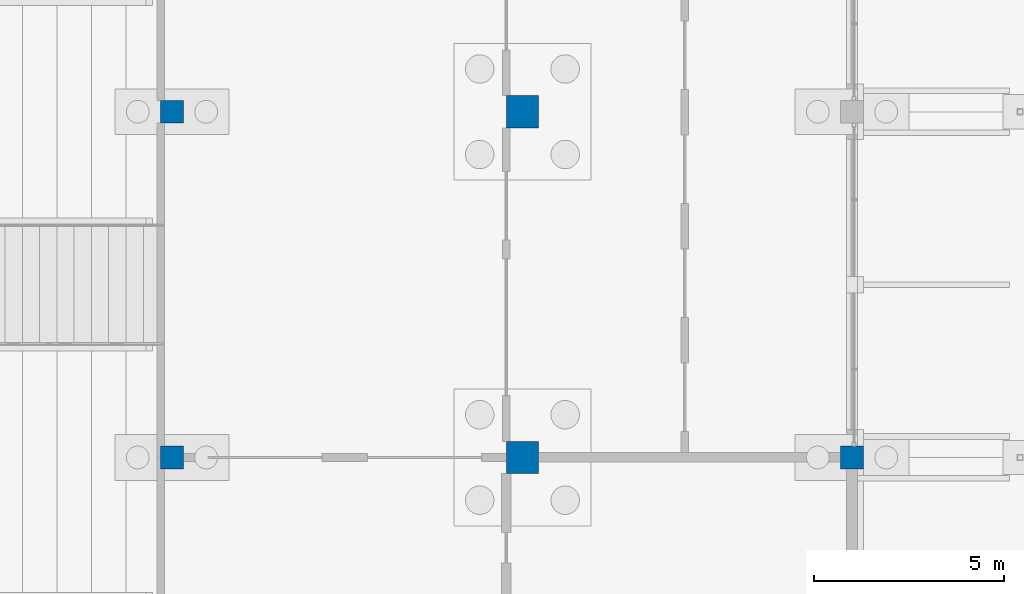
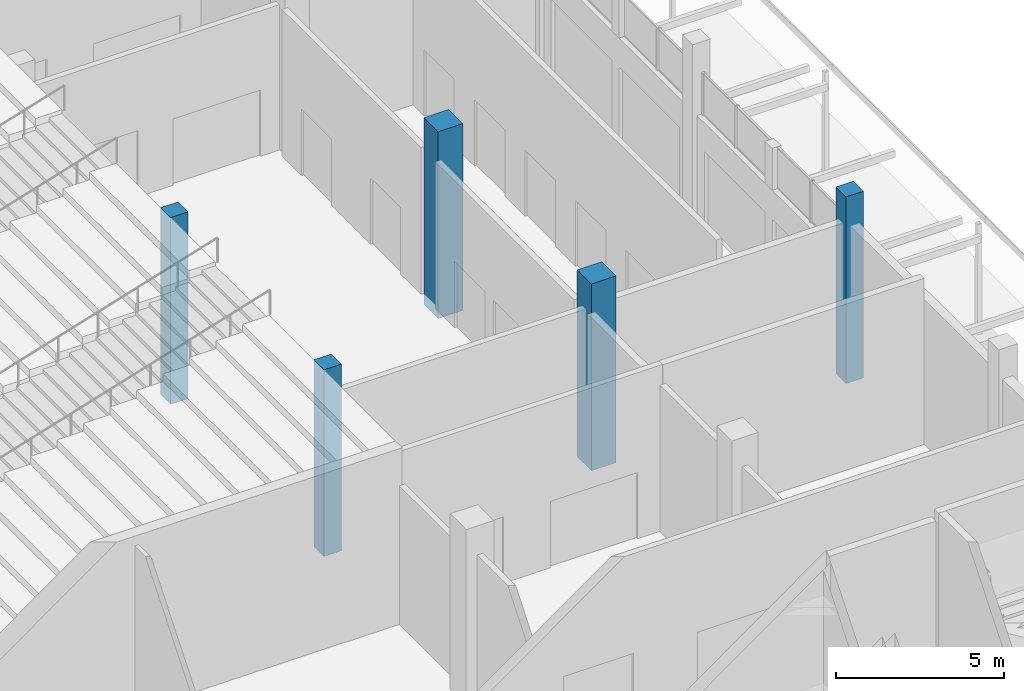
# One storey, part 40 of 129: 5 columns.
"""IFC4 building model written with IfcOpenShell, lengths in metres."""

from ifc_helpers import new_model, si_unit, direction, frame, origin, origin_2d, place, context, subcontext, project, spatial, rectangle, extrude, material, material_profile, profile_set, type_object, element, save


model = new_model("IFC4")

# Units and contexts
model_context = context("Model", 3, precision=1e-05, world=origin(), true_north=direction((0.0, 1.0)))
body_context = subcontext(model_context, "Body", "Model", "MODEL_VIEW")
ifc_project = project(units=[si_unit("LENGTHUNIT", "METRE"), si_unit("AREAUNIT", "SQUARE_METRE"), si_unit("VOLUMEUNIT", "CUBIC_METRE"), si_unit("PLANEANGLEUNIT", "RADIAN"), si_unit("MASSUNIT", "GRAM", prefix="KILO")], contexts=[model_context])

# Site, building, storey
site_placement = place(None, origin())
site = spatial("IfcSite", under=ifc_project, at=site_placement, CompositionType="ELEMENT")
building_placement = place(site_placement, origin())
building = spatial("IfcBuilding", under=site, at=building_placement, Name="Shirokan Park Arena", CompositionType="ELEMENT")
storey_placement = place(building_placement, origin())
storey = spatial("IfcBuildingStorey", under=building, at=storey_placement, Name="L00", CompositionType="ELEMENT", Elevation=0.0)

# Columns
ifc_material = material(Name="Concrete C35", Category="concrete")
ifc_material_profile_1 = material_profile(ifc_material, rectangle(XDim=0.60009765625, YDim=0.60009765625, at=origin_2d()), Name="600x600")
ifc_profile_set_1 = profile_set([ifc_material_profile_1], Name="Concrete C35")
column_type_1 = type_object("IfcColumnType", Name="RC column 600x600", PredefinedType="COLUMN", material=ifc_profile_set_1)
for number, where, z_axis, x_axis, name in (
    (1, (127.699951171875, 45.5, -0.39990234375), (0.0, 0.0, 1.0), (1.0, 0.0, 0.0), "Column 15F L00"),
    (2, (127.699951171875, 54.60009765625, -0.39990234375), (0.0, 0.0, 1.0), (1.0, 0.0, 0.0), "Column 15G L00"),
    (3, (145.60009765625, 45.5, -0.39990234375), (0.0, 0.0, 1.0), (1.0, 0.0, 0.0), "Column 17F L00"),
):
    element("IfcColumn", number, at=place(storey_placement, frame(where, z_axis=z_axis, x_axis=x_axis)), inside=storey, type_object=column_type_1, Name=name, PredefinedType="COLUMN", context=body_context, shape_type="SweptSolid", body=[
        extrude(rectangle(XDim=0.60009765625, YDim=0.60009765625, at=origin_2d()), origin(), (0.0, 0.0, 1.0), 6.77001953125),
    ])
ifc_material_profile_2 = material_profile(ifc_material, rectangle(XDim=0.85009765625, YDim=0.85009765625, at=origin_2d()), Name="850x850")
ifc_profile_set_2 = profile_set([ifc_material_profile_2], Name="Concrete C35")
column_type_2 = type_object("IfcColumnType", Name="RC column 850x850", PredefinedType="COLUMN", material=ifc_profile_set_2)
for number, where, z_axis, x_axis, name in (
    (4, (136.925048828125, 45.5, -0.39990234375), (0.0, 0.0, 1.0), (1.0, 0.0, 0.0), "Column 16F L00"),
    (5, (136.925048828125, 54.60009765625, -0.39990234375), (0.0, 0.0, 1.0), (1.0, 0.0, 0.0), "Column 16G L00"),
):
    element("IfcColumn", number, at=place(storey_placement, frame(where, z_axis=z_axis, x_axis=x_axis)), inside=storey, type_object=column_type_2, Name=name, PredefinedType="COLUMN", context=body_context, shape_type="SweptSolid", body=[
        extrude(rectangle(XDim=0.85009765625, YDim=0.85009765625, at=origin_2d()), origin(), (0.0, 0.0, 1.0), 6.77001953125),
    ])

save(model, "model.ifc")
